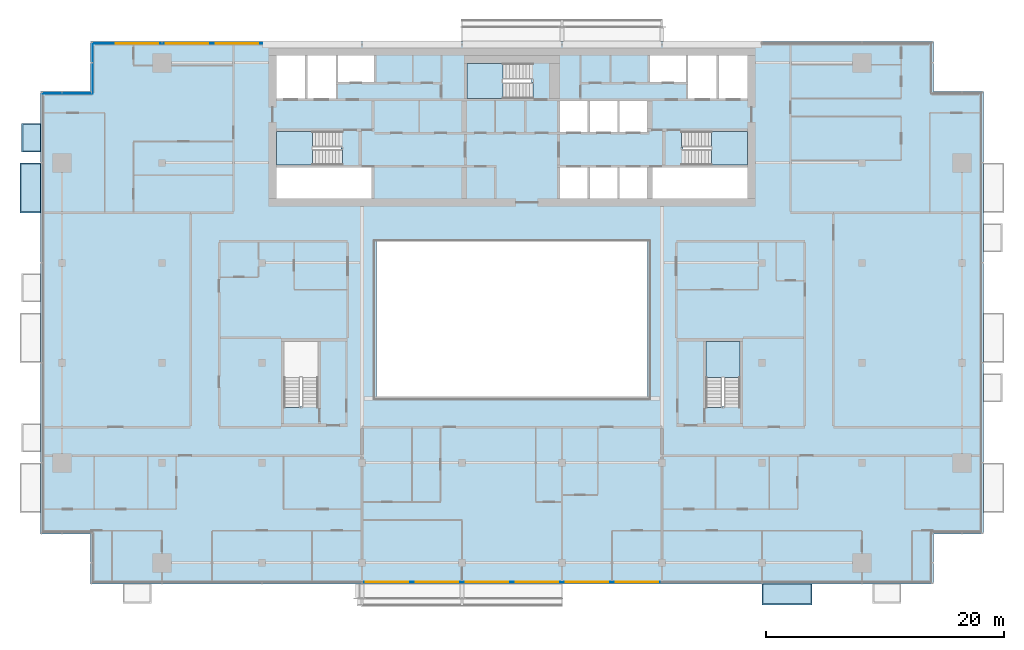
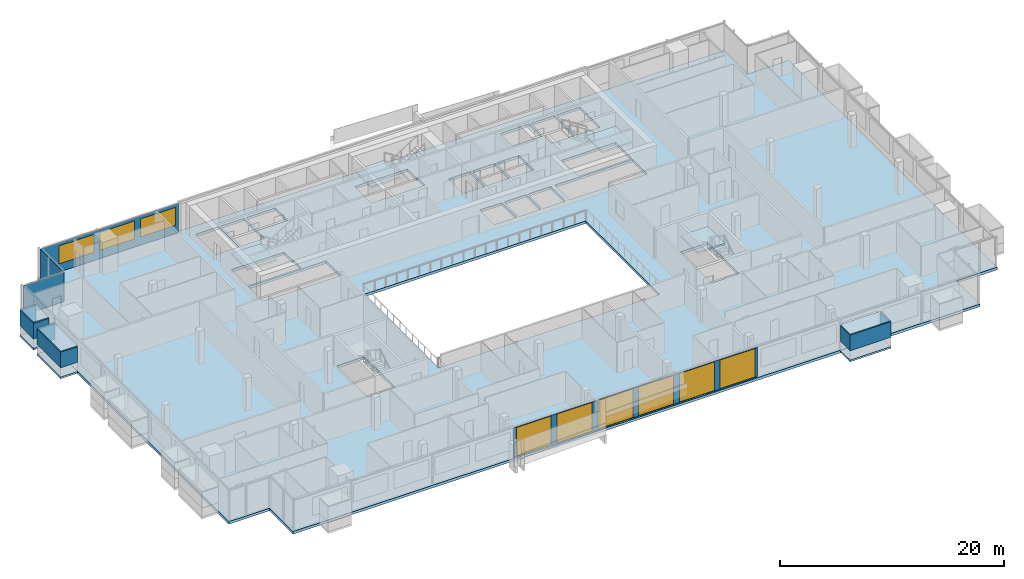
# One storey, part 15 of 27: 10 plates, 9 windows, 8 slabs, 9 openings, 8 elements without a shape of their own.
"""IFC4 building model written with IfcOpenShell, lengths in metres."""

from ifc_helpers import new_model, si_unit, direction, frame, frame_2d, origin, place, context, subcontext, project, spatial, polyline, rectangle, outline, extrude, material, layer, layer_set, type_object, element, fill, aggregate, save


model = new_model("IFC4")

# Units and contexts
model_context = context("Model", 3, precision=1e-05, world=origin(), true_north=direction((0.0, 1.0)))
body_context = subcontext(model_context, "Body", "Model", "MODEL_VIEW")
ifc_project = project(units=[si_unit("LENGTHUNIT", "METRE"), si_unit("AREAUNIT", "SQUARE_METRE"), si_unit("VOLUMEUNIT", "CUBIC_METRE"), si_unit("PLANEANGLEUNIT", "RADIAN"), si_unit("MASSUNIT", "GRAM", prefix="KILO")], contexts=[model_context])

# Site, building, storey
site_placement = place(None, origin())
site = spatial("IfcSite", under=ifc_project, at=site_placement, CompositionType="ELEMENT")
building_placement = place(site_placement, origin())
building = spatial("IfcBuilding", under=site, at=building_placement, Name="Saffron Gate Tower", CompositionType="ELEMENT")
storey_placement = place(building_placement, frame((0.0, 0.0, 209.10009765625)))
storey = spatial("IfcBuildingStorey", under=building, at=storey_placement, Name="L50", CompositionType="ELEMENT", Elevation=209.10009765625)

# Curtain wall, plate, openings, windows
ifc_material_1 = material(Name="Aluminium, bronze anodised", Category="aluminium")
curtain_wall_type_1 = type_object("IfcCurtainWallType", Name="CWS1 curtain wall front facade", PredefinedType="NOTDEFINED", material=ifc_material_1)
curtain_wall_1_placement = place(storey_placement, origin())
curtain_wall_1 = element("IfcCurtainWall", 1, at=curtain_wall_1_placement, inside=storey, type_object=curtain_wall_type_1, Name="CWS1 run 1", PredefinedType="NOTDEFINED")
ifc_material_2 = material(Name="Clear low-iron laminated glass", Category="glass")
ifc_layer_1 = layer(ifc_material_2, 0.028076171875)
ifc_layer_set_1 = layer_set([ifc_layer_1], Name="CWS1 clear glass")
plate_type_1 = type_object("IfcPlateType", Name="CWS1 clear glass", PredefinedType="CURTAIN_PANEL", material=ifc_layer_set_1)
plate_1_placement = place(storey_placement, frame((75.030029296875, 30.174072265625, 0.0), z_axis=(0.0, 0.0, 1.0), x_axis=(1.0, 0.0, 0.0)))
plate_1 = element("IfcPlate", 2, at=plate_1_placement, type_object=plate_type_1, Name="CWS1 clear glass panel", PredefinedType="CURTAIN_PANEL", context=body_context, shape_type="SweptSolid", body=[
    extrude(rectangle(XDim=25.139892578125, YDim=0.028076171875, at=frame_2d((12.56982421875, 0.0))), origin(), (0.0, 0.0, 1.0), 3.199951171875),
])
opening_1_placement = place(plate_1_placement, frame((0.27001953125, 0.0, 0.050048828125)))
opening_1 = element("IfcOpeningElement", 3, at=opening_1_placement, cuts=plate_1, Name="Opening WA", PredefinedType="OPENING", context=body_context, shape_type="SweptSolid", body=[
    extrude(rectangle(XDim=3.60009765625, YDim=3.10009765625, at=frame_2d((1.800048828125, 1.550048828125))), frame((0.0, 0.02392578125, 0.0), z_axis=(0.0, -1.0, 0.0), x_axis=(1.0, 0.0, 0.0)), (0.0, 0.0, 1.0), 0.048095703125),
])
opening_2_placement = place(plate_1_placement, frame((4.469970703125, 0.0, 0.050048828125)))
opening_2 = element("IfcOpeningElement", 4, at=opening_2_placement, cuts=plate_1, Name="Opening WA", PredefinedType="OPENING", context=body_context, shape_type="SweptSolid", body=[
    extrude(rectangle(XDim=3.60009765625, YDim=3.10009765625, at=frame_2d((1.800048828125, 1.550048828125))), frame((0.0, 0.02392578125, 0.0), z_axis=(0.0, -1.0, 0.0), x_axis=(1.0, 0.0, 0.0)), (0.0, 0.0, 1.0), 0.048095703125),
])
opening_3_placement = place(plate_1_placement, frame((8.669921875, 0.0, 0.050048828125)))
opening_3 = element("IfcOpeningElement", 5, at=opening_3_placement, cuts=plate_1, Name="Opening WA", PredefinedType="OPENING", context=body_context, shape_type="SweptSolid", body=[
    extrude(rectangle(XDim=3.60009765625, YDim=3.10009765625, at=frame_2d((1.800048828125, 1.550048828125))), frame((0.0, 0.02392578125, 0.0), z_axis=(0.0, -1.0, 0.0), x_axis=(1.0, 0.0, 0.0)), (0.0, 0.0, 1.0), 0.048095703125),
])
opening_4_placement = place(plate_1_placement, frame((12.8701171875, 0.0, 0.050048828125)))
opening_4 = element("IfcOpeningElement", 6, at=opening_4_placement, cuts=plate_1, Name="Opening WA", PredefinedType="OPENING", context=body_context, shape_type="SweptSolid", body=[
    extrude(rectangle(XDim=3.60009765625, YDim=3.10009765625, at=frame_2d((1.800048828125, 1.550048828125))), frame((0.0, 0.02392578125, 0.0), z_axis=(0.0, -1.0, 0.0), x_axis=(1.0, 0.0, 0.0)), (0.0, 0.0, 1.0), 0.048095703125),
])
opening_5_placement = place(plate_1_placement, frame((17.070068359375, 0.0, 0.050048828125)))
opening_5 = element("IfcOpeningElement", 7, at=opening_5_placement, cuts=plate_1, Name="Opening WA", PredefinedType="OPENING", context=body_context, shape_type="SweptSolid", body=[
    extrude(rectangle(XDim=3.60009765625, YDim=3.10009765625, at=frame_2d((1.800048828125, 1.550048828125))), frame((0.0, 0.02392578125, 0.0), z_axis=(0.0, -1.0, 0.0), x_axis=(1.0, 0.0, 0.0)), (0.0, 0.0, 1.0), 0.048095703125),
])
opening_6_placement = place(plate_1_placement, frame((21.27001953125, 0.0, 0.050048828125)))
opening_6 = element("IfcOpeningElement", 8, at=opening_6_placement, cuts=plate_1, Name="Opening WA", PredefinedType="OPENING", context=body_context, shape_type="SweptSolid", body=[
    extrude(rectangle(XDim=3.60009765625, YDim=3.10009765625, at=frame_2d((1.800048828125, 1.550048828125))), frame((0.0, 0.02392578125, 0.0), z_axis=(0.0, -1.0, 0.0), x_axis=(1.0, 0.0, 0.0)), (0.0, 0.0, 1.0), 0.048095703125),
])
ifc_material_3 = material(Name="Clear low-iron laminated glass in bronze frame", Category="glass")
ifc_layer_2 = layer(ifc_material_3, 0.06005859375)
ifc_layer_set_2 = layer_set([ifc_layer_2], Name="WA operable atrium unit 3600x3100")
window_type_1 = type_object("IfcWindowType", Name="WA operable atrium unit 3600x3100", PartitioningType="DOUBLE_PANEL_HORIZONTAL", PredefinedType="WINDOW", material=ifc_layer_set_2)
window_1_placement = place(opening_1_placement, origin())
window_1 = element("IfcWindow", 9, at=window_1_placement, type_object=window_type_1, Name="WA operable atrium unit", OverallHeight=3.10009765625, OverallWidth=3.60009765625, PartitioningType="SINGLE_PANEL", PredefinedType="WINDOW", context=body_context, shape_type="SweptSolid", body=[
    extrude(rectangle(XDim=3.60009765625, YDim=3.10009765625, at=frame_2d((1.800048828125, 1.550048828125))), frame((0.0, 0.013671875, 0.0), z_axis=(0.0, -1.0, 0.0), x_axis=(1.0, 0.0, 0.0)), (0.0, 0.0, 1.0), 0.027587890625),
])
fill(opening_1, window_1)
window_2_placement = place(opening_2_placement, origin())
window_2 = element("IfcWindow", 10, at=window_2_placement, type_object=window_type_1, Name="WA operable atrium unit", OverallHeight=3.10009765625, OverallWidth=3.60009765625, PartitioningType="SINGLE_PANEL", PredefinedType="WINDOW", context=body_context, shape_type="SweptSolid", body=[
    extrude(rectangle(XDim=3.60009765625, YDim=3.10009765625, at=frame_2d((1.800048828125, 1.550048828125))), frame((0.0, 0.013671875, 0.0), z_axis=(0.0, -1.0, 0.0), x_axis=(1.0, 0.0, 0.0)), (0.0, 0.0, 1.0), 0.027587890625),
])
fill(opening_2, window_2)
window_3_placement = place(opening_3_placement, origin())
window_3 = element("IfcWindow", 11, at=window_3_placement, type_object=window_type_1, Name="WA operable atrium unit", OverallHeight=3.10009765625, OverallWidth=3.60009765625, PartitioningType="SINGLE_PANEL", PredefinedType="WINDOW", context=body_context, shape_type="SweptSolid", body=[
    extrude(rectangle(XDim=3.60009765625, YDim=3.10009765625, at=frame_2d((1.800048828125, 1.550048828125))), frame((0.0, 0.013671875, 0.0), z_axis=(0.0, -1.0, 0.0), x_axis=(1.0, 0.0, 0.0)), (0.0, 0.0, 1.0), 0.027587890625),
])
fill(opening_3, window_3)
window_4_placement = place(opening_4_placement, origin())
window_4 = element("IfcWindow", 12, at=window_4_placement, type_object=window_type_1, Name="WA operable atrium unit", OverallHeight=3.10009765625, OverallWidth=3.60009765625, PartitioningType="SINGLE_PANEL", PredefinedType="WINDOW", context=body_context, shape_type="SweptSolid", body=[
    extrude(rectangle(XDim=3.60009765625, YDim=3.10009765625, at=frame_2d((1.800048828125, 1.550048828125))), frame((0.0, 0.013671875, 0.0), z_axis=(0.0, -1.0, 0.0), x_axis=(1.0, 0.0, 0.0)), (0.0, 0.0, 1.0), 0.027587890625),
])
fill(opening_4, window_4)
window_5_placement = place(opening_5_placement, origin())
window_5 = element("IfcWindow", 13, at=window_5_placement, type_object=window_type_1, Name="WA operable atrium unit", OverallHeight=3.10009765625, OverallWidth=3.60009765625, PartitioningType="SINGLE_PANEL", PredefinedType="WINDOW", context=body_context, shape_type="SweptSolid", body=[
    extrude(rectangle(XDim=3.60009765625, YDim=3.10009765625, at=frame_2d((1.800048828125, 1.550048828125))), frame((0.0, 0.013671875, 0.0), z_axis=(0.0, -1.0, 0.0), x_axis=(1.0, 0.0, 0.0)), (0.0, 0.0, 1.0), 0.027587890625),
])
fill(opening_5, window_5)
window_6_placement = place(opening_6_placement, origin())
window_6 = element("IfcWindow", 14, at=window_6_placement, type_object=window_type_1, Name="WA operable atrium unit", OverallHeight=3.10009765625, OverallWidth=3.60009765625, PartitioningType="SINGLE_PANEL", PredefinedType="WINDOW", context=body_context, shape_type="SweptSolid", body=[
    extrude(rectangle(XDim=3.60009765625, YDim=3.10009765625, at=frame_2d((1.800048828125, 1.550048828125))), frame((0.0, 0.013671875, 0.0), z_axis=(0.0, -1.0, 0.0), x_axis=(1.0, 0.0, 0.0)), (0.0, 0.0, 1.0), 0.027587890625),
])
fill(opening_6, window_6)
aggregate(curtain_wall_1, [plate_1, window_1, window_2, window_3, window_4, window_5, window_6])

curtain_wall_type_2 = type_object("IfcCurtainWallType", Name="CWS3 curtain wall rear facade", PredefinedType="NOTDEFINED", material=ifc_material_1)
curtain_wall_2_placement = place(storey_placement, origin())
curtain_wall_2 = element("IfcCurtainWall", 15, at=curtain_wall_2_placement, inside=storey, type_object=curtain_wall_type_2, Name="CWS3 run 7", PredefinedType="NOTDEFINED")
ifc_material_4 = material(Name="Fritted grey-tinted laminated glass", Category="glass")
ifc_layer_3 = layer(ifc_material_4, 0.028076171875)
ifc_layer_set_3 = layer_set([ifc_layer_3], Name="CWS3 fixed glass")
plate_type_2 = type_object("IfcPlateType", Name="CWS3 fixed glass", PredefinedType="CURTAIN_PANEL", material=ifc_layer_set_3)
plate_2_placement = place(storey_placement, frame((66.635009765625, 75.426025390625, 0.0), z_axis=(0.0, 0.0, 1.0), x_axis=(-1.0, 0.0, 0.0)))
plate_2 = element("IfcPlate", 16, at=plate_2_placement, type_object=plate_type_2, Name="CWS3 glass panel", PredefinedType="CURTAIN_PANEL", context=body_context, shape_type="SweptSolid", body=[
    extrude(rectangle(XDim=14.2470703125, YDim=0.028076171875, at=frame_2d((7.12353515625, 0.0))), origin(), (0.0, 0.0, 1.0), 3.199951171875),
])
opening_7_placement = place(plate_2_placement, frame((0.3349609375, 0.0, 0.89990234375)))
opening_7 = element("IfcOpeningElement", 17, at=opening_7_placement, cuts=plate_2, Name="Opening W1", PredefinedType="OPENING", context=body_context, shape_type="SweptSolid", body=[
    extrude(rectangle(XDim=3.60009765625, YDim=1.949951171875, at=frame_2d((1.800048828125, 0.97509765625))), frame((0.0, 0.02392578125, 0.0), z_axis=(0.0, -1.0, 0.0), x_axis=(1.0, 0.0, 0.0)), (0.0, 0.0, 1.0), 0.048095703125),
])
opening_8_placement = place(plate_2_placement, frame((4.534912109375, 0.0, 0.89990234375)))
opening_8 = element("IfcOpeningElement", 18, at=opening_8_placement, cuts=plate_2, Name="Opening W1", PredefinedType="OPENING", context=body_context, shape_type="SweptSolid", body=[
    extrude(rectangle(XDim=3.60009765625, YDim=1.949951171875, at=frame_2d((1.800048828125, 0.97509765625))), frame((0.0, 0.02392578125, 0.0), z_axis=(0.0, -1.0, 0.0), x_axis=(1.0, 0.0, 0.0)), (0.0, 0.0, 1.0), 0.048095703125),
])
opening_9_placement = place(plate_2_placement, frame((8.735107421875, 0.0, 0.89990234375)))
opening_9 = element("IfcOpeningElement", 19, at=opening_9_placement, cuts=plate_2, Name="Opening W1", PredefinedType="OPENING", context=body_context, shape_type="SweptSolid", body=[
    extrude(rectangle(XDim=3.60009765625, YDim=1.949951171875, at=frame_2d((1.800048828125, 0.97509765625))), frame((0.0, 0.02392578125, 0.0), z_axis=(0.0, -1.0, 0.0), x_axis=(1.0, 0.0, 0.0)), (0.0, 0.0, 1.0), 0.048095703125),
])
ifc_material_5 = material(Name="Fritted bronze-tinted laminated glass in bronze frame", Category="glass")
ifc_layer_4 = layer(ifc_material_5, 0.06005859375)
ifc_layer_set_4 = layer_set([ifc_layer_4], Name="W1 operable panel 3600x1950")
window_type_2 = type_object("IfcWindowType", Name="W1 operable panel 3600x1950", PartitioningType="DOUBLE_PANEL_HORIZONTAL", PredefinedType="WINDOW", material=ifc_layer_set_4)
window_7_placement = place(opening_7_placement, origin())
window_7 = element("IfcWindow", 20, at=window_7_placement, type_object=window_type_2, Name="W1 operable panel", OverallHeight=1.949951171875, OverallWidth=3.60009765625, PartitioningType="SINGLE_PANEL", PredefinedType="WINDOW", context=body_context, shape_type="SweptSolid", body=[
    extrude(rectangle(XDim=3.60009765625, YDim=1.949951171875, at=frame_2d((1.800048828125, 0.97509765625))), frame((0.0, 0.013671875, 0.0), z_axis=(0.0, -1.0, 0.0), x_axis=(1.0, 0.0, 0.0)), (0.0, 0.0, 1.0), 0.027587890625),
])
fill(opening_7, window_7)
window_8_placement = place(opening_8_placement, origin())
window_8 = element("IfcWindow", 21, at=window_8_placement, type_object=window_type_2, Name="W1 operable panel", OverallHeight=1.949951171875, OverallWidth=3.60009765625, PartitioningType="SINGLE_PANEL", PredefinedType="WINDOW", context=body_context, shape_type="SweptSolid", body=[
    extrude(rectangle(XDim=3.60009765625, YDim=1.949951171875, at=frame_2d((1.800048828125, 0.97509765625))), frame((0.0, 0.013671875, 0.0), z_axis=(0.0, -1.0, 0.0), x_axis=(1.0, 0.0, 0.0)), (0.0, 0.0, 1.0), 0.027587890625),
])
fill(opening_8, window_8)
window_9_placement = place(opening_9_placement, origin())
window_9 = element("IfcWindow", 22, at=window_9_placement, type_object=window_type_2, Name="W1 operable panel", OverallHeight=1.949951171875, OverallWidth=3.60009765625, PartitioningType="SINGLE_PANEL", PredefinedType="WINDOW", context=body_context, shape_type="SweptSolid", body=[
    extrude(rectangle(XDim=3.60009765625, YDim=1.949951171875, at=frame_2d((1.800048828125, 0.97509765625))), frame((0.0, 0.013671875, 0.0), z_axis=(0.0, -1.0, 0.0), x_axis=(1.0, 0.0, 0.0)), (0.0, 0.0, 1.0), 0.027587890625),
])
fill(opening_9, window_9)
aggregate(curtain_wall_2, [plate_2, window_7, window_8, window_9])

# Curtain wall, plate
curtain_wall_type_3 = type_object("IfcCurtainWallType", Name="CWS4 curtain wall corner returns", PredefinedType="NOTDEFINED", material=ifc_material_1)
curtain_wall_3_placement = place(storey_placement, origin())
curtain_wall_3 = element("IfcCurtainWall", 23, at=curtain_wall_3_placement, inside=storey, type_object=curtain_wall_type_3, Name="CWS4 run 8", PredefinedType="NOTDEFINED")
ifc_material_6 = material(Name="Fritted bronze-tinted laminated glass", Category="glass")
ifc_layer_5 = layer(ifc_material_6, 0.028076171875)
ifc_layer_set_5 = layer_set([ifc_layer_5], Name="CWS4 fixed glass")
plate_type_3 = type_object("IfcPlateType", Name="CWS4 fixed glass", PredefinedType="CURTAIN_PANEL", material=ifc_layer_set_5)
plate_3_placement = place(storey_placement, frame((52.3740234375, 75.412109375, 0.0), z_axis=(0.0, 0.0, 1.0), x_axis=(0.0, -1.0, 0.0)))
plate_3 = element("IfcPlate", 24, at=plate_3_placement, type_object=plate_type_3, Name="CWS4 glass panel", PredefinedType="CURTAIN_PANEL", context=body_context, shape_type="SweptSolid", body=[
    extrude(rectangle(XDim=4.172119140625, YDim=0.028076171875, at=frame_2d((2.0859375, 0.0))), origin(), (0.0, 0.0, 1.0), 3.199951171875),
])
aggregate(curtain_wall_3, [plate_3])

curtain_wall_4_placement = place(storey_placement, origin())
curtain_wall_4 = element("IfcCurtainWall", 25, at=curtain_wall_4_placement, inside=storey, type_object=curtain_wall_type_3, Name="CWS4 run 9", PredefinedType="NOTDEFINED")
plate_4_placement = place(storey_placement, frame((52.360107421875, 71.22607421875, 0.0), z_axis=(0.0, 0.0, 1.0), x_axis=(-1.0, 0.0, 0.0)))
plate_4 = element("IfcPlate", 26, at=plate_4_placement, type_object=plate_type_3, Name="CWS4 glass panel", PredefinedType="CURTAIN_PANEL", context=body_context, shape_type="SweptSolid", body=[
    extrude(rectangle(XDim=4.172119140625, YDim=0.028076171875, at=frame_2d((2.0859375, 0.0))), origin(), (0.0, 0.0, 1.0), 3.199951171875),
])
aggregate(curtain_wall_4, [plate_4])

# Slab
ifc_material_7 = material(Name="Concrete C40", Category="concrete")
ifc_layer_6 = layer(ifc_material_7, 0.280029296875)
ifc_layer_set_6 = layer_set([ifc_layer_6], Name="S2 FLOOR SLAB 280 CONCRETE C40")
slab_type_1 = type_object("IfcSlabType", Name="S2 FLOOR SLAB 280 CONCRETE C40", PredefinedType="FLOOR", material=ifc_layer_set_6)
slab_1_placement = place(storey_placement, frame((0.0, 0.0, -0.280029296875)))
element("IfcSlab", 27, at=slab_1_placement, inside=storey, type_object=slab_type_1, Name="S2 FLOOR SLAB", PredefinedType="FLOOR", context=body_context, shape_type="SweptSolid", body=[
    extrude(outline(polyline([(48.0, 34.199951171875), (52.199951171875, 34.199951171875), (52.199951171875, 30.0), (123.0, 30.0), (123.0, 34.199951171875), (127.199951171875, 34.199951171875), (127.199951171875, 71.39990234375), (123.0, 71.39990234375), (123.0, 75.60009765625), (52.199951171875, 75.60009765625), (52.199951171875, 71.39990234375), (48.0, 71.39990234375), (48.0, 34.199951171875)]), holes=[polyline([(67.800048828125, 62.39990234375), (67.800048828125, 65.0), (75.800048828125, 65.0), (75.800048828125, 62.39990234375), (67.800048828125, 62.39990234375)]), polyline([(67.800048828125, 65.199951171875), (67.800048828125, 68.050048828125), (73.25, 68.050048828125), (73.25, 66.550048828125), (73.34912109375, 66.550048828125), (73.34912109375, 65.199951171875), (67.800048828125, 65.199951171875)]), polyline([(67.800048828125, 70.800048828125), (67.800048828125, 74.39990234375), (70.199951171875, 74.39990234375), (70.199951171875, 70.800048828125), (67.800048828125, 70.800048828125)]), polyline([(68.449951171875, 44.85107421875), (68.449951171875, 50.39990234375), (71.300048828125, 50.39990234375), (71.300048828125, 44.949951171875), (69.800048828125, 44.949951171875), (69.800048828125, 44.85107421875), (68.449951171875, 44.85107421875)]), polyline([(70.39990234375, 70.800048828125), (70.39990234375, 74.39990234375), (72.800048828125, 74.39990234375), (72.800048828125, 70.800048828125), (70.39990234375, 70.800048828125)]), polyline([(73.0, 72.199951171875), (73.0, 74.39990234375), (76.0, 74.39990234375), (76.0, 72.199951171875), (73.0, 72.199951171875)]), polyline([(76.199951171875, 45.60009765625), (76.199951171875, 58.800048828125), (99.0, 58.800048828125), (99.0, 45.60009765625), (76.199951171875, 45.60009765625)]), polyline([(83.800048828125, 70.800048828125), (83.800048828125, 73.75), (89.25, 73.75), (89.25, 72.14990234375), (89.34912109375, 72.14990234375), (89.34912109375, 70.800048828125), (83.800048828125, 70.800048828125)]), polyline([(91.64990234375, 62.39990234375), (91.64990234375, 65.0), (93.949951171875, 65.0), (93.949951171875, 62.39990234375), (91.64990234375, 62.39990234375)]), polyline([(91.64990234375, 68.0), (91.64990234375, 70.60009765625), (93.949951171875, 70.60009765625), (93.949951171875, 68.0), (91.64990234375, 68.0)]), polyline([(94.14990234375, 62.39990234375), (94.14990234375, 65.0), (96.449951171875, 65.0), (96.449951171875, 62.39990234375), (94.14990234375, 62.39990234375)]), polyline([(94.14990234375, 68.0), (94.14990234375, 70.60009765625), (96.449951171875, 70.60009765625), (96.449951171875, 68.0), (94.14990234375, 68.0)]), polyline([(96.64990234375, 62.39990234375), (96.64990234375, 65.0), (98.949951171875, 65.0), (98.949951171875, 62.39990234375), (96.64990234375, 62.39990234375)]), polyline([(96.64990234375, 68.0), (96.64990234375, 70.60009765625), (98.949951171875, 70.60009765625), (98.949951171875, 68.0), (96.64990234375, 68.0)]), polyline([(99.199951171875, 72.199951171875), (99.199951171875, 74.39990234375), (102.199951171875, 74.39990234375), (102.199951171875, 72.199951171875), (99.199951171875, 72.199951171875)]), polyline([(99.39990234375, 62.39990234375), (99.39990234375, 65.0), (107.39990234375, 65.0), (107.39990234375, 62.39990234375), (99.39990234375, 62.39990234375)]), polyline([(101.85107421875, 66.699951171875), (101.85107421875, 68.050048828125), (107.39990234375, 68.050048828125), (107.39990234375, 65.199951171875), (101.949951171875, 65.199951171875), (101.949951171875, 66.699951171875), (101.85107421875, 66.699951171875)]), polyline([(102.39990234375, 70.800048828125), (102.39990234375, 74.39990234375), (104.800048828125, 74.39990234375), (104.800048828125, 70.800048828125), (102.39990234375, 70.800048828125)]), polyline([(103.89990234375, 44.85107421875), (103.89990234375, 50.39990234375), (106.75, 50.39990234375), (106.75, 44.949951171875), (105.25, 44.949951171875), (105.25, 44.85107421875), (103.89990234375, 44.85107421875)]), polyline([(105.0, 70.800048828125), (105.0, 74.39990234375), (107.39990234375, 74.39990234375), (107.39990234375, 70.800048828125), (105.0, 70.800048828125)])]), origin(), (0.0, 0.0, 1.0), 0.280029296875),
])

# Stair, slab
stair_type = type_object("IfcStairType", Name="ST7 Stair 1350 wide, 20 risers of 180", PredefinedType="HALF_TURN_STAIR", material=ifc_material_7)
stair_1_placement = place(storey_placement, origin())
stair_1 = element("IfcStair", 28, at=stair_1_placement, inside=storey, type_object=stair_type, Name="L50 Exit stair A", PredefinedType="HALF_TURN_STAIR")
ifc_layer_7 = layer(ifc_material_7, 0.199951171875)
ifc_layer_set_7 = layer_set([ifc_layer_7], Name="SL1 Stair landing 200")
slab_type_2 = type_object("IfcSlabType", Name="SL1 Stair landing 200", PredefinedType="LANDING", material=ifc_layer_set_7)
slab_2_placement = place(storey_placement, frame((0.0, 0.0, 1.599853515625)))
slab_2 = element("IfcSlab", 29, at=slab_2_placement, type_object=slab_type_2, Name="ST-A landing 1", PredefinedType="LANDING", context=body_context, shape_type="SweptSolid", body=[
    extrude(outline(polyline([(70.830078125, 68.050048828125), (67.800048828125, 68.050048828125), (67.800048828125, 65.199951171875), (70.830078125, 65.199951171875), (70.830078125, 68.050048828125)])), origin(), (0.0, 0.0, 1.0), 0.199951171875),
])
aggregate(stair_1, [slab_2])

stair_2_placement = place(storey_placement, origin())
stair_2 = element("IfcStair", 30, at=stair_2_placement, inside=storey, type_object=stair_type, Name="L50 Exit stair B", PredefinedType="HALF_TURN_STAIR")
slab_3_placement = place(storey_placement, frame((0.0, 0.0, 1.599853515625)))
slab_3 = element("IfcSlab", 31, at=slab_3_placement, type_object=slab_type_2, Name="ST-B landing 1", PredefinedType="LANDING", context=body_context, shape_type="SweptSolid", body=[
    extrude(outline(polyline([(104.3701171875, 65.199951171875), (107.39990234375, 65.199951171875), (107.39990234375, 68.050048828125), (104.3701171875, 68.050048828125), (104.3701171875, 65.199951171875)])), origin(), (0.0, 0.0, 1.0), 0.199951171875),
])
aggregate(stair_2, [slab_3])

stair_3_placement = place(storey_placement, origin())
stair_3 = element("IfcStair", 32, at=stair_3_placement, inside=storey, type_object=stair_type, Name="L50 Exit stair C", PredefinedType="HALF_TURN_STAIR")
slab_4_placement = place(storey_placement, frame((0.0, 0.0, 1.599853515625)))
slab_4 = element("IfcSlab", 33, at=slab_4_placement, type_object=slab_type_2, Name="ST-C landing 1", PredefinedType="LANDING", context=body_context, shape_type="SweptSolid", body=[
    extrude(outline(polyline([(86.830078125, 73.75), (83.800048828125, 73.75), (83.800048828125, 70.800048828125), (86.830078125, 70.800048828125), (86.830078125, 73.75)])), origin(), (0.0, 0.0, 1.0), 0.199951171875),
])
aggregate(stair_3, [slab_4])

stair_4_placement = place(storey_placement, origin())
stair_4 = element("IfcStair", 34, at=stair_4_placement, inside=storey, type_object=stair_type, Name="L50 Exit stair E", PredefinedType="HALF_TURN_STAIR")
slab_5_placement = place(storey_placement, frame((0.0, 0.0, 1.599853515625)))
slab_5 = element("IfcSlab", 35, at=slab_5_placement, type_object=slab_type_2, Name="ST-E landing 1", PredefinedType="LANDING", context=body_context, shape_type="SweptSolid", body=[
    extrude(outline(polyline([(106.75, 47.3701171875), (106.75, 50.39990234375), (103.89990234375, 50.39990234375), (103.89990234375, 47.3701171875), (106.75, 47.3701171875)])), origin(), (0.0, 0.0, 1.0), 0.199951171875),
])
aggregate(stair_4, [slab_5])

# Slabs
ifc_material_8 = material(Name="Timber deck on bronze frame", Category="wood")
ifc_layer_8 = layer(ifc_material_8, 0.199951171875)
ifc_layer_set_8 = layer_set([ifc_layer_8], Name="WB1 box floor")
slab_type_3 = type_object("IfcSlabType", Name="WB1 box floor", PredefinedType="FLOOR", material=ifc_layer_set_8)
slab_6_placement = place(storey_placement, frame((0.0, 0.0, -0.2001953125)))
element("IfcSlab", 36, at=slab_6_placement, inside=storey, type_object=slab_type_3, Name="WINDOW BOX floor", PredefinedType="FLOOR", context=body_context, shape_type="SweptSolid", body=[
    extrude(outline(polyline([(108.60009765625, 30.0), (112.800048828125, 30.0), (112.800048828125, 28.26708984375), (108.60009765625, 28.26708984375), (108.60009765625, 30.0)])), origin(), (0.0, 0.0, 1.0), 0.2001953125),
])
slab_7_placement = place(storey_placement, frame((0.0, 0.0, -0.2001953125)))
element("IfcSlab", 37, at=slab_7_placement, inside=storey, type_object=slab_type_3, Name="WINDOW BOX floor", PredefinedType="FLOOR", context=body_context, shape_type="SweptSolid", body=[
    extrude(outline(polyline([(48.0, 68.699951171875), (48.0, 66.300048828125), (46.39990234375, 66.300048828125), (46.39990234375, 68.699951171875), (48.0, 68.699951171875)])), origin(), (0.0, 0.0, 1.0), 0.2001953125),
])
slab_8_placement = place(storey_placement, frame((0.0, 0.0, -0.2001953125)))
element("IfcSlab", 38, at=slab_8_placement, inside=storey, type_object=slab_type_3, Name="WINDOW BOX floor", PredefinedType="FLOOR", context=body_context, shape_type="SweptSolid", body=[
    extrude(outline(polyline([(48.0, 65.39990234375), (48.0, 61.199951171875), (46.26708984375, 61.199951171875), (46.26708984375, 65.39990234375), (48.0, 65.39990234375)])), origin(), (0.0, 0.0, 1.0), 0.2001953125),
])

# Plates
ifc_layer_9 = layer(ifc_material_1, 0.1201171875)
ifc_layer_set_9 = layer_set([ifc_layer_9], Name="WB2 box roof")
plate_type_4 = type_object("IfcPlateType", Name="WB2 box roof", PredefinedType="SHEET", material=ifc_layer_set_9)
plate_5_placement = place(storey_placement, frame((0.0, 0.0, 2.699951171875)))
element("IfcPlate", 39, at=plate_5_placement, inside=storey, type_object=plate_type_4, Name="WINDOW BOX roof", PredefinedType="SHEET", context=body_context, shape_type="SweptSolid", body=[
    extrude(outline(polyline([(108.60009765625, 30.0), (112.800048828125, 30.0), (112.800048828125, 28.26708984375), (108.60009765625, 28.26708984375), (108.60009765625, 30.0)])), origin(), (0.0, 0.0, 1.0), 0.119873046875),
])
plate_6_placement = place(storey_placement, frame((0.0, 0.0, 2.699951171875)))
element("IfcPlate", 40, at=plate_6_placement, inside=storey, type_object=plate_type_4, Name="WINDOW BOX roof", PredefinedType="SHEET", context=body_context, shape_type="SweptSolid", body=[
    extrude(outline(polyline([(48.0, 68.699951171875), (48.0, 66.300048828125), (46.39990234375, 66.300048828125), (46.39990234375, 68.699951171875), (48.0, 68.699951171875)])), origin(), (0.0, 0.0, 1.0), 0.119873046875),
])
plate_7_placement = place(storey_placement, frame((0.0, 0.0, 2.699951171875)))
element("IfcPlate", 41, at=plate_7_placement, inside=storey, type_object=plate_type_4, Name="WINDOW BOX roof", PredefinedType="SHEET", context=body_context, shape_type="SweptSolid", body=[
    extrude(outline(polyline([(48.0, 65.39990234375), (48.0, 61.199951171875), (46.26708984375, 61.199951171875), (46.26708984375, 65.39990234375), (48.0, 65.39990234375)])), origin(), (0.0, 0.0, 1.0), 0.119873046875),
])
ifc_layer_10 = layer(ifc_material_2, 0.10009765625)
ifc_layer_set_10 = layer_set([ifc_layer_10], Name="WB6 box glazing")
plate_type_5 = type_object("IfcPlateType", Name="WB6 box glazing", PredefinedType="SHEET", material=ifc_layer_set_10)
plate_8_placement = place(storey_placement, frame((0.0, 0.0, 1.0)))
element("IfcPlate", 42, at=plate_8_placement, inside=storey, type_object=plate_type_5, Name="WINDOW BOX glazing", PredefinedType="SHEET", context=body_context, shape_type="SweptSolid", body=[
    extrude(outline(polyline([(108.60009765625, 30.0), (108.699951171875, 30.0), (108.699951171875, 28.366943359375), (112.699951171875, 28.366943359375), (112.699951171875, 30.0), (112.800048828125, 30.0), (112.800048828125, 28.26708984375), (108.60009765625, 28.26708984375), (108.60009765625, 30.0)])), origin(), (0.0, 0.0, 1.0), 1.699951171875),
])
plate_9_placement = place(storey_placement, frame((0.0, 0.0, 1.0)))
element("IfcPlate", 43, at=plate_9_placement, inside=storey, type_object=plate_type_5, Name="WINDOW BOX glazing", PredefinedType="SHEET", context=body_context, shape_type="SweptSolid", body=[
    extrude(outline(polyline([(48.0, 68.699951171875), (48.0, 68.60009765625), (46.5, 68.60009765625), (46.5, 66.39990234375), (48.0, 66.39990234375), (48.0, 66.300048828125), (46.39990234375, 66.300048828125), (46.39990234375, 68.699951171875), (48.0, 68.699951171875)])), origin(), (0.0, 0.0, 1.0), 1.699951171875),
])
plate_10_placement = place(storey_placement, frame((0.0, 0.0, 1.0)))
element("IfcPlate", 44, at=plate_10_placement, inside=storey, type_object=plate_type_5, Name="WINDOW BOX glazing", PredefinedType="SHEET", context=body_context, shape_type="SweptSolid", body=[
    extrude(outline(polyline([(48.0, 65.39990234375), (48.0, 65.300048828125), (46.366943359375, 65.300048828125), (46.366943359375, 61.300048828125), (48.0, 61.300048828125), (48.0, 61.199951171875), (46.26708984375, 61.199951171875), (46.26708984375, 65.39990234375), (48.0, 65.39990234375)])), origin(), (0.0, 0.0, 1.0), 1.699951171875),
])

save(model, "model.ifc")
